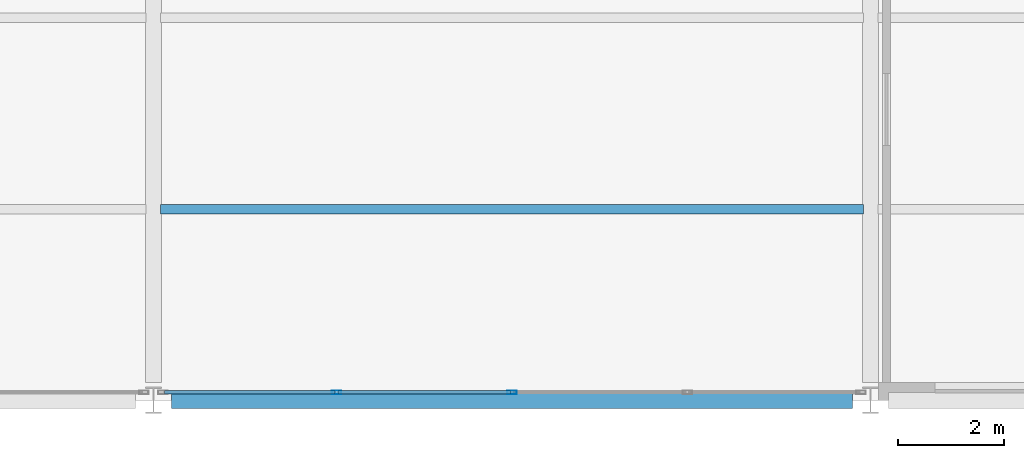
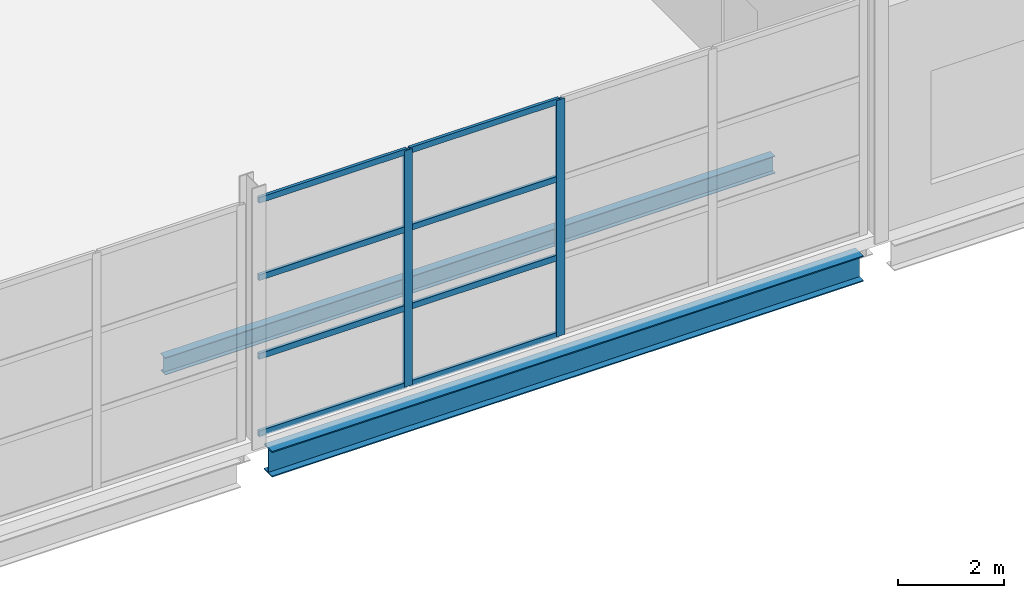
# One storey, part 132 of 191: 10 members, 2 beams, 1 element without a shape of its own.
"""IFC4 building model written with IfcOpenShell, lengths in metres."""

from ifc_helpers import new_model, si_unit, direction, frame, origin, origin_2d, place, context, subcontext, project, spatial, hollow_rectangle, i_section, extrude, material, layer, layer_set, material_profile, profile_set, type_object, element, aggregate, save


model = new_model("IFC4")

# Units and contexts
model_context = context("Model", 3, precision=1e-05, world=origin(), true_north=direction((0.0, 1.0)))
body_context = subcontext(model_context, "Body", "Model", "MODEL_VIEW")
ifc_project = project(units=[si_unit("LENGTHUNIT", "METRE"), si_unit("AREAUNIT", "SQUARE_METRE"), si_unit("VOLUMEUNIT", "CUBIC_METRE"), si_unit("PLANEANGLEUNIT", "RADIAN"), si_unit("MASSUNIT", "GRAM", prefix="KILO")], contexts=[model_context])

# Site, building, storey
site_placement = place(None, origin())
site = spatial("IfcSite", under=ifc_project, at=site_placement, CompositionType="ELEMENT")
building_placement = place(site_placement, origin())
building = spatial("IfcBuilding", under=site, at=building_placement, Name="Tamarisk Ironworks Central Station", CompositionType="ELEMENT")
storey_placement = place(building_placement, frame((0.0, 0.0, 6.60009765625)))
storey = spatial("IfcBuildingStorey", under=building, at=storey_placement, Name="L01", CompositionType="ELEMENT", Elevation=6.60009765625)

# Beams
ifc_material_1 = material(Name="Structural steel S355J2", Category="steel")
ifc_material_profile_1 = material_profile(ifc_material_1, i_section(OverallWidth=0.179931640625, OverallDepth=0.39990234375, WebThickness=0.008544921875, FlangeThickness=0.013427734375, at=origin_2d()), Name="IPE 400")
ifc_profile_set_1 = profile_set([ifc_material_profile_1], Name="Structural steel S355J2")
beam_type_1 = type_object("IfcBeamType", Name="BM-B04", PredefinedType="BEAM", material=ifc_profile_set_1)
beam_1_placement = place(storey_placement, frame((153.135009765625, 3.60009765625, -0.4501953125), z_axis=(1.0, 0.0, 0.0), x_axis=(0.0, 1.0, 0.0)))
element("IfcBeam", 1, at=beam_1_placement, inside=storey, type_object=beam_type_1, Name="L01 secondary composite beam 0109", PredefinedType="BEAM", context=body_context, shape_type="SweptSolid", body=[
    extrude(i_section(OverallWidth=0.179931640625, OverallDepth=0.39990234375, WebThickness=0.008544921875, FlangeThickness=0.013427734375, at=origin_2d()), origin(), (0.0, 0.0, 1.0), 13.22998046875),
])
ifc_material_profile_2 = material_profile(ifc_material_1, i_section(OverallWidth=0.300048828125, OverallDepth=0.590087890625, WebThickness=0.012939453125, FlangeThickness=0.02490234375, at=origin_2d()), Name="HEA 600")
ifc_profile_set_2 = profile_set([ifc_material_profile_2], Name="Structural steel S355J2")
beam_type_2 = type_object("IfcBeamType", Name="BM-G03", PredefinedType="BEAM", material=ifc_profile_set_2)
beam_2_placement = place(storey_placement, frame((153.337890625, 0.0, -0.545166015625), z_axis=(1.0, 0.0, 0.0), x_axis=(0.0, 1.0, 0.0)))
element("IfcBeam", 2, at=beam_2_placement, inside=storey, type_object=beam_type_2, Name="L01 primary girder X-0008", PredefinedType="BEAM", context=body_context, shape_type="SweptSolid", body=[
    extrude(i_section(OverallWidth=0.300048828125, OverallDepth=0.590087890625, WebThickness=0.012939453125, FlangeThickness=0.02490234375, at=origin_2d()), origin(), (0.0, 0.0, 1.0), 12.82421875),
])

# Curtain wall, members
ifc_material_2 = material(Name="Anodized aluminium alloy 6063-T6", Category="aluminium")
ifc_layer = layer(ifc_material_2, 0.179931640625)
ifc_layer_set = layer_set([ifc_layer], Name="Anodized aluminium alloy 6063-T6")
curtain_wall_type = type_object("IfcCurtainWallType", Name="CW-16", PredefinedType="USERDEFINED", material=ifc_layer_set)
curtain_wall_placement = place(storey_placement, origin())
curtain_wall = element("IfcCurtainWall", 3, at=curtain_wall_placement, inside=storey, type_object=curtain_wall_type, Name="South-east annex L01 curtain wall 153", ObjectType="GLAZED CURTAIN WALL", PredefinedType="USERDEFINED")
ifc_material_profile_3 = material_profile(ifc_material_2, hollow_rectangle(XDim=0.06494140625, YDim=0.179931640625, WallThickness=0.00390625, at=origin_2d()), Name="ALUM 180x65")
ifc_profile_set_3 = profile_set([ifc_material_profile_3], Name="Anodized aluminium alloy 6063-T6")
member_type_1 = type_object("IfcMemberType", Name="CWM-02", PredefinedType="MULLION", material=ifc_profile_set_3)
member_1_placement = place(storey_placement, frame((156.448974609375, 0.14990234375, 0.0), z_axis=(0.0, 0.0, 1.0), x_axis=(0.0, 1.0, 0.0)))
member_1 = element("IfcMember", 4, at=member_1_placement, type_object=member_type_1, Name="CW16 mullion 2", PredefinedType="MULLION", context=body_context, shape_type="SweptSolid", body=[
    extrude(hollow_rectangle(XDim=0.06494140625, YDim=0.179931640625, WallThickness=0.00390625, at=origin_2d()), origin(), (0.0, 0.0, 1.0), 5.419921875),
])
member_2_placement = place(storey_placement, frame((159.75, 0.14990234375, 0.0), z_axis=(0.0, 0.0, 1.0), x_axis=(0.0, 1.0, 0.0)))
member_2 = element("IfcMember", 5, at=member_2_placement, type_object=member_type_1, Name="CW16 mullion 3", PredefinedType="MULLION", context=body_context, shape_type="SweptSolid", body=[
    extrude(hollow_rectangle(XDim=0.06494140625, YDim=0.179931640625, WallThickness=0.00390625, at=origin_2d()), origin(), (0.0, 0.0, 1.0), 5.419921875),
])
ifc_material_profile_4 = material_profile(ifc_material_2, hollow_rectangle(XDim=0.06494140625, YDim=0.135009765625, WallThickness=0.00341796875, at=origin_2d()), Name="ALUM 135x65")
ifc_profile_set_4 = profile_set([ifc_material_profile_4], Name="Anodized aluminium alloy 6063-T6")
member_type_2 = type_object("IfcMemberType", Name="CWT-02", PredefinedType="USERDEFINED", material=ifc_profile_set_4)
member_3_placement = place(storey_placement, frame((153.208984375, 0.14990234375, 0.032470703125), z_axis=(1.0, 0.0, 0.0), x_axis=(0.0, 1.0, 0.0)))
member_3 = element("IfcMember", 6, at=member_3_placement, type_object=member_type_2, Name="CW16 transom 1.1", ObjectType="TRANSOM", PredefinedType="USERDEFINED", context=body_context, shape_type="SweptSolid", body=[
    extrude(hollow_rectangle(XDim=0.06494140625, YDim=0.135009765625, WallThickness=0.00341796875, at=origin_2d()), origin(), (0.0, 0.0, 1.0), 3.21142578125),
])
member_4_placement = place(storey_placement, frame((153.208984375, 0.14990234375, 1.806640625), z_axis=(1.0, 0.0, 0.0), x_axis=(0.0, 1.0, 0.0)))
member_4 = element("IfcMember", 7, at=member_4_placement, type_object=member_type_2, Name="CW16 transom 1.2", ObjectType="TRANSOM", PredefinedType="USERDEFINED", context=body_context, shape_type="SweptSolid", body=[
    extrude(hollow_rectangle(XDim=0.06494140625, YDim=0.135009765625, WallThickness=0.00341796875, at=origin_2d()), origin(), (0.0, 0.0, 1.0), 3.21142578125),
])
member_5_placement = place(storey_placement, frame((153.208984375, 0.14990234375, 3.61328125), z_axis=(1.0, 0.0, 0.0), x_axis=(0.0, 1.0, 0.0)))
member_5 = element("IfcMember", 8, at=member_5_placement, type_object=member_type_2, Name="CW16 transom 1.3", ObjectType="TRANSOM", PredefinedType="USERDEFINED", context=body_context, shape_type="SweptSolid", body=[
    extrude(hollow_rectangle(XDim=0.06494140625, YDim=0.135009765625, WallThickness=0.00341796875, at=origin_2d()), origin(), (0.0, 0.0, 1.0), 3.21142578125),
])
member_6_placement = place(storey_placement, frame((153.208984375, 0.14990234375, 5.387451171875), z_axis=(1.0, 0.0, 0.0), x_axis=(0.0, 1.0, 0.0)))
member_6 = element("IfcMember", 9, at=member_6_placement, type_object=member_type_2, Name="CW16 transom 1.4", ObjectType="TRANSOM", PredefinedType="USERDEFINED", context=body_context, shape_type="SweptSolid", body=[
    extrude(hollow_rectangle(XDim=0.06494140625, YDim=0.135009765625, WallThickness=0.00341796875, at=origin_2d()), origin(), (0.0, 0.0, 1.0), 3.21142578125),
])
member_7_placement = place(storey_placement, frame((156.4775390625, 0.14990234375, 0.032470703125), z_axis=(1.0, 0.0, 0.0), x_axis=(0.0, 1.0, 0.0)))
member_7 = element("IfcMember", 10, at=member_7_placement, type_object=member_type_2, Name="CW16 transom 2.1", ObjectType="TRANSOM", PredefinedType="USERDEFINED", context=body_context, shape_type="SweptSolid", body=[
    extrude(hollow_rectangle(XDim=0.06494140625, YDim=0.135009765625, WallThickness=0.00341796875, at=origin_2d()), origin(), (0.0, 0.0, 1.0), 3.243896484375),
])
member_8_placement = place(storey_placement, frame((156.4775390625, 0.14990234375, 1.806640625), z_axis=(1.0, 0.0, 0.0), x_axis=(0.0, 1.0, 0.0)))
member_8 = element("IfcMember", 11, at=member_8_placement, type_object=member_type_2, Name="CW16 transom 2.2", ObjectType="TRANSOM", PredefinedType="USERDEFINED", context=body_context, shape_type="SweptSolid", body=[
    extrude(hollow_rectangle(XDim=0.06494140625, YDim=0.135009765625, WallThickness=0.00341796875, at=origin_2d()), origin(), (0.0, 0.0, 1.0), 3.243896484375),
])
member_9_placement = place(storey_placement, frame((156.4775390625, 0.14990234375, 3.61328125), z_axis=(1.0, 0.0, 0.0), x_axis=(0.0, 1.0, 0.0)))
member_9 = element("IfcMember", 12, at=member_9_placement, type_object=member_type_2, Name="CW16 transom 2.3", ObjectType="TRANSOM", PredefinedType="USERDEFINED", context=body_context, shape_type="SweptSolid", body=[
    extrude(hollow_rectangle(XDim=0.06494140625, YDim=0.135009765625, WallThickness=0.00341796875, at=origin_2d()), origin(), (0.0, 0.0, 1.0), 3.243896484375),
])
member_10_placement = place(storey_placement, frame((156.4775390625, 0.14990234375, 5.387451171875), z_axis=(1.0, 0.0, 0.0), x_axis=(0.0, 1.0, 0.0)))
member_10 = element("IfcMember", 13, at=member_10_placement, type_object=member_type_2, Name="CW16 transom 2.4", ObjectType="TRANSOM", PredefinedType="USERDEFINED", context=body_context, shape_type="SweptSolid", body=[
    extrude(hollow_rectangle(XDim=0.06494140625, YDim=0.135009765625, WallThickness=0.00341796875, at=origin_2d()), origin(), (0.0, 0.0, 1.0), 3.243896484375),
])
aggregate(curtain_wall, [member_1, member_2, member_3, member_4, member_5, member_6, member_7, member_8, member_9, member_10])

save(model, "model.ifc")
